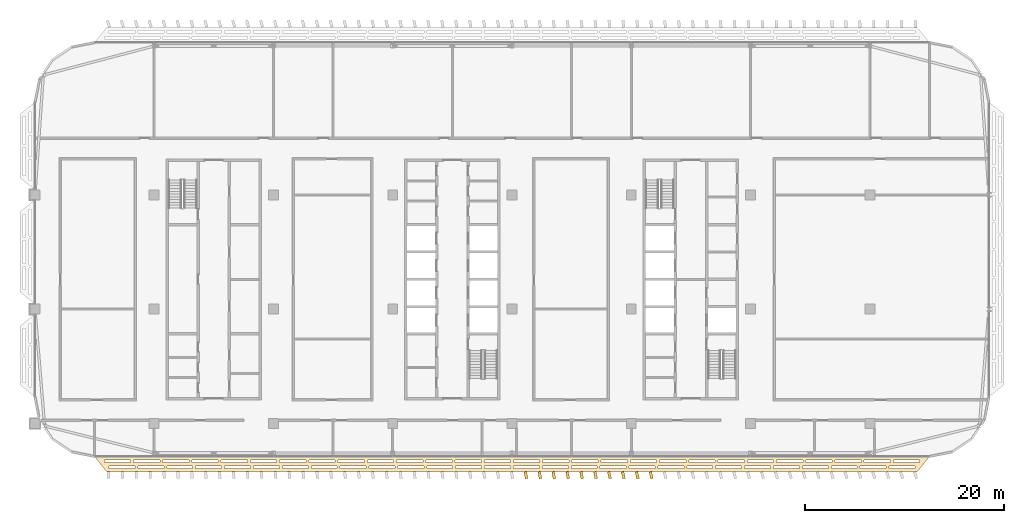
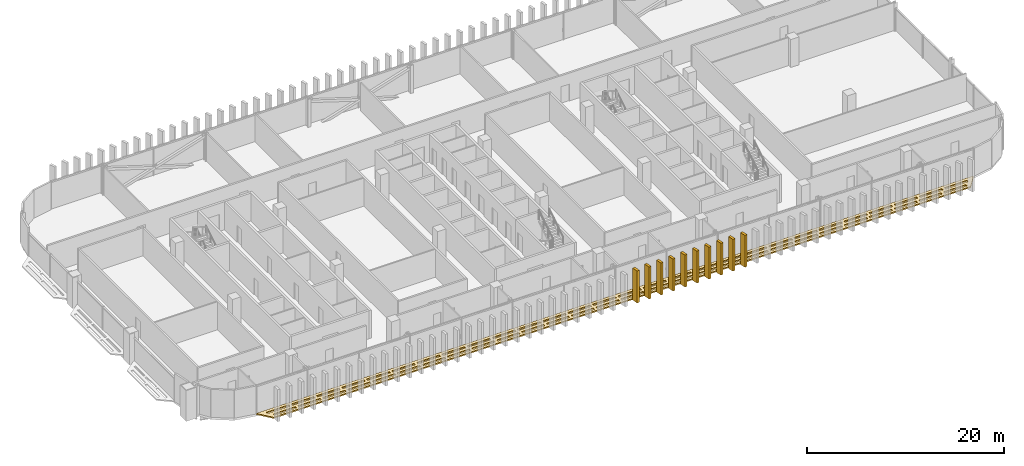
# One storey, part 30 of 35: 11 coverings.
"""IFC4 building model written with IfcOpenShell, lengths in metres."""

from ifc_helpers import new_model, si_unit, direction, frame, origin, origin_2d, place, context, subcontext, project, spatial, polyline, rectangle, outline, extrude, material, layer, layer_set, type_object, element, save


model = new_model("IFC4")

# Units and contexts
model_context = context("Model", 3, precision=1e-05, world=origin(), true_north=direction((0.0, 1.0)))
body_context = subcontext(model_context, "Body", "Model", "MODEL_VIEW")
ifc_project = project(units=[si_unit("LENGTHUNIT", "METRE"), si_unit("AREAUNIT", "SQUARE_METRE"), si_unit("VOLUMEUNIT", "CUBIC_METRE"), si_unit("PLANEANGLEUNIT", "RADIAN"), si_unit("MASSUNIT", "GRAM", prefix="KILO")], contexts=[model_context])

# Site, building, storey
site_placement = place(None, origin())
site = spatial("IfcSite", under=ifc_project, at=site_placement, CompositionType="ELEMENT")
building_placement = place(site_placement, origin())
building = spatial("IfcBuilding", under=site, at=building_placement, Name="Mahtab Terrace Research Tower", CompositionType="ELEMENT")
storey_placement = place(building_placement, frame((0.0, 0.0, 251.39990234375)))
storey = spatial("IfcBuildingStorey", under=building, at=storey_placement, Name="L61", CompositionType="ELEMENT", Elevation=251.39990234375)

# Coverings
ifc_material_1 = material(Name="Black anodised aluminium", Category="aluminium")
ifc_layer_1 = layer(ifc_material_1, 0.14990234375)
ifc_layer_set_1 = layer_set([ifc_layer_1], Name="Horizontal sunshade band")
covering_type_1 = type_object("IfcCoveringType", Name="Horizontal sunshade band", PredefinedType="CLADDING", material=ifc_layer_set_1)
covering_placement = place(storey_placement, frame((0.0, 0.0, -0.14990234375)))
element("IfcCovering", 1, at=covering_placement, inside=storey, type_object=covering_type_1, Name="Sunshade band L61 17", PredefinedType="CLADDING", context=body_context, shape_type="SweptSolid", body=[
    extrude(outline(polyline([(-36.0, -14.833984375), (48.0, -14.833984375), (46.800048828125, -16.333984375), (-34.800048828125, -16.333984375), (-36.0, -14.833984375)]), holes=[polyline([(-35.02001953125, -15.18408203125), (-32.37890625, -15.18408203125), (-32.37890625, -15.43408203125), (-35.02001953125, -15.43408203125), (-35.02001953125, -15.18408203125)]), polyline([(-32.0791015625, -15.18408203125), (-29.43896484375, -15.18408203125), (-29.43896484375, -15.43408203125), (-32.0791015625, -15.43408203125), (-32.0791015625, -15.18408203125)]), polyline([(-29.138916015625, -15.18408203125), (-26.498046875, -15.18408203125), (-26.498046875, -15.43408203125), (-29.138916015625, -15.43408203125), (-29.138916015625, -15.18408203125)]), polyline([(-26.197998046875, -15.18408203125), (-23.556884765625, -15.18408203125), (-23.556884765625, -15.43408203125), (-26.197998046875, -15.43408203125), (-26.197998046875, -15.18408203125)]), polyline([(-23.257080078125, -15.18408203125), (-20.615966796875, -15.18408203125), (-20.615966796875, -15.43408203125), (-23.257080078125, -15.43408203125), (-23.257080078125, -15.18408203125)]), polyline([(-20.31591796875, -15.18408203125), (-17.676025390625, -15.18408203125), (-17.676025390625, -15.43408203125), (-20.31591796875, -15.43408203125), (-20.31591796875, -15.18408203125)]), polyline([(-17.3759765625, -15.18408203125), (-14.735107421875, -15.18408203125), (-14.735107421875, -15.43408203125), (-17.3759765625, -15.43408203125), (-17.3759765625, -15.18408203125)]), polyline([(-14.43505859375, -15.18408203125), (-11.7939453125, -15.18408203125), (-11.7939453125, -15.43408203125), (-14.43505859375, -15.43408203125), (-14.43505859375, -15.18408203125)]), polyline([(-11.493896484375, -15.18408203125), (-8.85400390625, -15.18408203125), (-8.85400390625, -15.43408203125), (-11.493896484375, -15.43408203125), (-11.493896484375, -15.18408203125)]), polyline([(-8.553955078125, -15.18408203125), (-5.9130859375, -15.18408203125), (-5.9130859375, -15.43408203125), (-8.553955078125, -15.43408203125), (-8.553955078125, -15.18408203125)]), polyline([(-5.613037109375, -15.18408203125), (-2.971923828125, -15.18408203125), (-2.971923828125, -15.43408203125), (-5.613037109375, -15.43408203125), (-5.613037109375, -15.18408203125)]), polyline([(-2.672119140625, -15.18408203125), (-0.031005859375, -15.18408203125), (-0.031005859375, -15.43408203125), (-2.672119140625, -15.43408203125), (-2.672119140625, -15.18408203125)]), polyline([(0.26904296875, -15.18408203125), (2.908935546875, -15.18408203125), (2.908935546875, -15.43408203125), (0.26904296875, -15.43408203125), (0.26904296875, -15.18408203125)]), polyline([(3.208984375, -15.18408203125), (5.85009765625, -15.18408203125), (5.85009765625, -15.43408203125), (3.208984375, -15.43408203125), (3.208984375, -15.18408203125)]), polyline([(6.14990234375, -15.18408203125), (8.791015625, -15.18408203125), (8.791015625, -15.43408203125), (6.14990234375, -15.43408203125), (6.14990234375, -15.18408203125)]), polyline([(9.091064453125, -15.18408203125), (11.73095703125, -15.18408203125), (11.73095703125, -15.43408203125), (9.091064453125, -15.43408203125), (9.091064453125, -15.18408203125)]), polyline([(12.031005859375, -15.18408203125), (14.672119140625, -15.18408203125), (14.672119140625, -15.43408203125), (12.031005859375, -15.43408203125), (12.031005859375, -15.18408203125)]), polyline([(14.971923828125, -15.18408203125), (17.613037109375, -15.18408203125), (17.613037109375, -15.43408203125), (14.971923828125, -15.43408203125), (14.971923828125, -15.18408203125)]), polyline([(17.9130859375, -15.18408203125), (20.553955078125, -15.18408203125), (20.553955078125, -15.43408203125), (17.9130859375, -15.43408203125), (17.9130859375, -15.18408203125)]), polyline([(20.85400390625, -15.18408203125), (23.493896484375, -15.18408203125), (23.493896484375, -15.43408203125), (20.85400390625, -15.43408203125), (20.85400390625, -15.18408203125)]), polyline([(23.7939453125, -15.18408203125), (26.43505859375, -15.18408203125), (26.43505859375, -15.43408203125), (23.7939453125, -15.43408203125), (23.7939453125, -15.18408203125)]), polyline([(26.735107421875, -15.18408203125), (29.3759765625, -15.18408203125), (29.3759765625, -15.43408203125), (26.735107421875, -15.43408203125), (26.735107421875, -15.18408203125)]), polyline([(29.676025390625, -15.18408203125), (32.31591796875, -15.18408203125), (32.31591796875, -15.43408203125), (29.676025390625, -15.43408203125), (29.676025390625, -15.18408203125)]), polyline([(32.615966796875, -15.18408203125), (35.257080078125, -15.18408203125), (35.257080078125, -15.43408203125), (32.615966796875, -15.43408203125), (32.615966796875, -15.18408203125)]), polyline([(35.556884765625, -15.18408203125), (38.197998046875, -15.18408203125), (38.197998046875, -15.43408203125), (35.556884765625, -15.43408203125), (35.556884765625, -15.18408203125)]), polyline([(38.498046875, -15.18408203125), (41.138916015625, -15.18408203125), (41.138916015625, -15.43408203125), (38.498046875, -15.43408203125), (38.498046875, -15.18408203125)]), polyline([(41.43896484375, -15.18408203125), (44.0791015625, -15.18408203125), (44.0791015625, -15.43408203125), (41.43896484375, -15.43408203125), (41.43896484375, -15.18408203125)]), polyline([(44.37890625, -15.18408203125), (47.02001953125, -15.18408203125), (47.02001953125, -15.43408203125), (44.37890625, -15.43408203125), (44.37890625, -15.18408203125)]), polyline([(-34.5400390625, -15.783935546875), (-31.93408203125, -15.783935546875), (-31.93408203125, -16.033935546875), (-34.5400390625, -16.033935546875), (-34.5400390625, -15.783935546875)]), polyline([(-31.634033203125, -15.783935546875), (-29.027099609375, -15.783935546875), (-29.027099609375, -16.033935546875), (-31.634033203125, -16.033935546875), (-31.634033203125, -15.783935546875)]), polyline([(-28.72705078125, -15.783935546875), (-26.12109375, -15.783935546875), (-26.12109375, -16.033935546875), (-28.72705078125, -16.033935546875), (-28.72705078125, -15.783935546875)]), polyline([(-25.821044921875, -15.783935546875), (-23.214111328125, -15.783935546875), (-23.214111328125, -16.033935546875), (-25.821044921875, -16.033935546875), (-25.821044921875, -15.783935546875)]), polyline([(-22.9140625, -15.783935546875), (-20.30810546875, -15.783935546875), (-20.30810546875, -16.033935546875), (-22.9140625, -16.033935546875), (-22.9140625, -15.783935546875)]), polyline([(-20.008056640625, -15.783935546875), (-17.40087890625, -15.783935546875), (-17.40087890625, -16.033935546875), (-20.008056640625, -16.033935546875), (-20.008056640625, -15.783935546875)]), polyline([(-17.10107421875, -15.783935546875), (-14.4951171875, -15.783935546875), (-14.4951171875, -16.033935546875), (-17.10107421875, -16.033935546875), (-17.10107421875, -15.783935546875)]), polyline([(-14.195068359375, -15.783935546875), (-11.589111328125, -15.783935546875), (-11.589111328125, -16.033935546875), (-14.195068359375, -16.033935546875), (-14.195068359375, -15.783935546875)]), polyline([(-11.2890625, -15.783935546875), (-8.681884765625, -15.783935546875), (-8.681884765625, -16.033935546875), (-11.2890625, -16.033935546875), (-11.2890625, -15.783935546875)]), polyline([(-8.382080078125, -15.783935546875), (-5.77587890625, -15.783935546875), (-5.77587890625, -16.033935546875), (-8.382080078125, -16.033935546875), (-8.382080078125, -15.783935546875)]), polyline([(-5.47607421875, -15.783935546875), (-2.868896484375, -15.783935546875), (-2.868896484375, -16.033935546875), (-5.47607421875, -16.033935546875), (-5.47607421875, -15.783935546875)]), polyline([(-2.569091796875, -15.783935546875), (0.037109375, -15.783935546875), (0.037109375, -16.033935546875), (-2.569091796875, -16.033935546875), (-2.569091796875, -15.783935546875)]), polyline([(0.3369140625, -15.783935546875), (2.944091796875, -15.783935546875), (2.944091796875, -16.033935546875), (0.3369140625, -16.033935546875), (0.3369140625, -15.783935546875)]), polyline([(3.243896484375, -15.783935546875), (5.85009765625, -15.783935546875), (5.85009765625, -16.033935546875), (3.243896484375, -16.033935546875), (3.243896484375, -15.783935546875)]), polyline([(6.14990234375, -15.783935546875), (8.756103515625, -15.783935546875), (8.756103515625, -16.033935546875), (6.14990234375, -16.033935546875), (6.14990234375, -15.783935546875)]), polyline([(9.055908203125, -15.783935546875), (11.6630859375, -15.783935546875), (11.6630859375, -16.033935546875), (9.055908203125, -16.033935546875), (9.055908203125, -15.783935546875)]), polyline([(11.962890625, -15.783935546875), (14.569091796875, -15.783935546875), (14.569091796875, -16.033935546875), (11.962890625, -16.033935546875), (11.962890625, -15.783935546875)]), polyline([(14.868896484375, -15.783935546875), (17.47607421875, -15.783935546875), (17.47607421875, -16.033935546875), (14.868896484375, -16.033935546875), (14.868896484375, -15.783935546875)]), polyline([(17.77587890625, -15.783935546875), (20.382080078125, -15.783935546875), (20.382080078125, -16.033935546875), (17.77587890625, -16.033935546875), (17.77587890625, -15.783935546875)]), polyline([(20.681884765625, -15.783935546875), (23.2890625, -15.783935546875), (23.2890625, -16.033935546875), (20.681884765625, -16.033935546875), (20.681884765625, -15.783935546875)]), polyline([(23.589111328125, -15.783935546875), (26.195068359375, -15.783935546875), (26.195068359375, -16.033935546875), (23.589111328125, -16.033935546875), (23.589111328125, -15.783935546875)]), polyline([(26.4951171875, -15.783935546875), (29.10107421875, -15.783935546875), (29.10107421875, -16.033935546875), (26.4951171875, -16.033935546875), (26.4951171875, -15.783935546875)]), polyline([(29.40087890625, -15.783935546875), (32.008056640625, -15.783935546875), (32.008056640625, -16.033935546875), (29.40087890625, -16.033935546875), (29.40087890625, -15.783935546875)]), polyline([(32.30810546875, -15.783935546875), (34.9140625, -15.783935546875), (34.9140625, -16.033935546875), (32.30810546875, -16.033935546875), (32.30810546875, -15.783935546875)]), polyline([(35.214111328125, -15.783935546875), (37.821044921875, -15.783935546875), (37.821044921875, -16.033935546875), (35.214111328125, -16.033935546875), (35.214111328125, -15.783935546875)]), polyline([(38.12109375, -15.783935546875), (40.72705078125, -15.783935546875), (40.72705078125, -16.033935546875), (38.12109375, -16.033935546875), (38.12109375, -15.783935546875)]), polyline([(41.027099609375, -15.783935546875), (43.634033203125, -15.783935546875), (43.634033203125, -16.033935546875), (41.027099609375, -16.033935546875), (41.027099609375, -15.783935546875)]), polyline([(43.93408203125, -15.783935546875), (46.5400390625, -15.783935546875), (46.5400390625, -16.033935546875), (43.93408203125, -16.033935546875), (43.93408203125, -15.783935546875)])]), origin(), (0.0, 0.0, 1.0), 0.14990234375),
])
ifc_material_2 = material(Name="Bronze anodised aluminium", Category="aluminium")
ifc_layer_2 = layer(ifc_material_2, 0.1201171875)
ifc_layer_set_2 = layer_set([ifc_layer_2], Name="Vertical fin 700")
covering_type_2 = type_object("IfcCoveringType", Name="Vertical fin 700", PredefinedType="CLADDING", material=ifc_layer_set_2)
for number, where, z_axis, x_axis, name in (
    (2, (7.39990234375, -16.703369140625, -0.14990234375), (0.0, 0.0, 1.0), (0.983780848524, 0.179374585932, 0.0), "Fin L61 S31"),
    (3, (8.800048828125, -16.703857421875, -0.14990234375), (0.0, 0.0, 1.0), (0.982720646705, 0.18509492305, 0.0), "Fin L61 S32"),
    (4, (10.199951171875, -16.704345703125, -0.14990234375), (0.0, 0.0, 1.0), (0.981627183448, 0.190808995377, 0.0), "Fin L61 S33"),
    (5, (11.60009765625, -16.70458984375, -0.14990234375), (0.0, 0.0, 1.0), (0.980500495757, 0.196516609527, 0.0), "Fin L61 S34"),
    (6, (13.0, -16.705078125, -0.14990234375), (0.0, 0.0, 1.0), (0.979340621764, 0.202217572338, 0.0), "Fin L61 S35"),
    (7, (14.39990234375, -16.70556640625, -0.14990234375), (0.0, 0.0, 1.0), (0.978147600734, 0.207911690818, 0.0), "Fin L61 S36"),
    (8, (15.800048828125, -16.705810546875, -0.14990234375), (0.0, 0.0, 1.0), (0.976921473041, 0.21359877226, 0.0), "Fin L61 S37"),
    (9, (17.199951171875, -16.706298828125, -0.14990234375), (0.0, 0.0, 1.0), (0.975662280183, 0.219278624194, 0.0), "Fin L61 S38"),
    (10, (18.60009765625, -16.70654296875, -0.14990234375), (0.0, 0.0, 1.0), (0.974370064785, 0.224951054344, 0.0), "Fin L61 S39"),
    (11, (20.0, -16.706787109375, -0.14990234375), (0.0, 0.0, 1.0), (0.973044870581, 0.230615870737, 0.0), "Fin L61 S40"),
):
    element("IfcCovering", number, at=place(storey_placement, frame(where, z_axis=z_axis, x_axis=x_axis)), inside=storey, type_object=covering_type_2, Name=name, PredefinedType="CLADDING", context=body_context, shape_type="SweptSolid", body=[
        extrude(rectangle(XDim=0.280029296875, YDim=0.699951171875, at=origin_2d()), origin(), (0.0, 0.0, 1.0), 3.949951171875),
    ])

save(model, "model.ifc")
